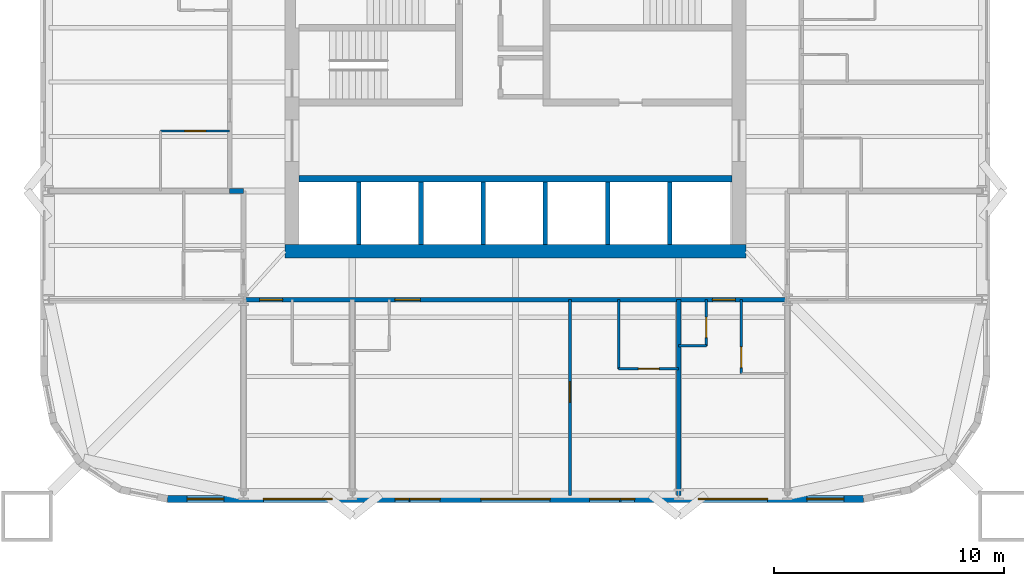
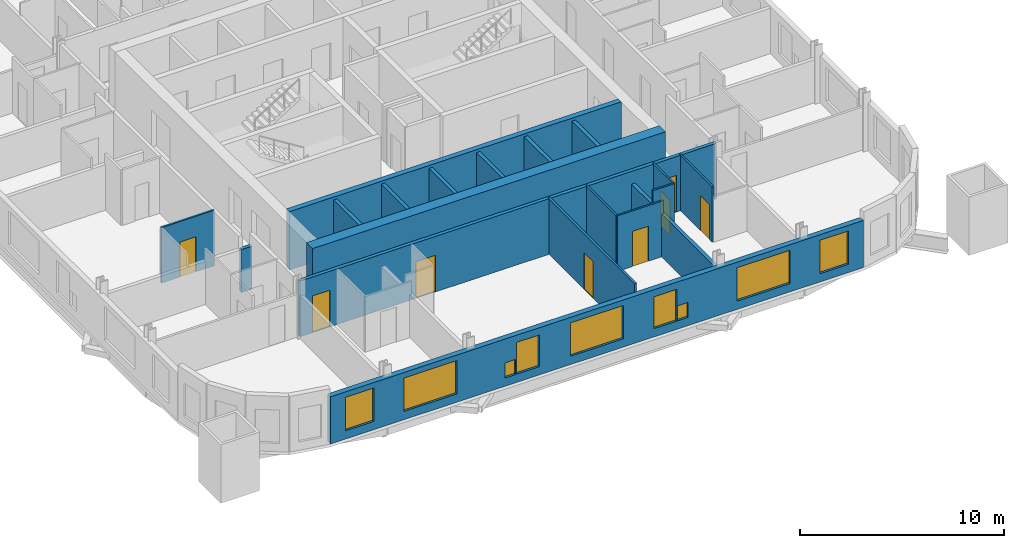
# One storey, part 3 of 9: 19 walls, 9 windows, 8 doors, 17 openings.
"""IFC4 building model written with IfcOpenShell, lengths in metres."""

from ifc_helpers import new_model, si_unit, direction, frame, frame_2d, origin, place, context, subcontext, project, spatial, rectangle, extrude, material, layer, layer_set, type_object, element, fill, save


model = new_model("IFC4")

# Units and contexts
model_context = context("Model", 3, precision=1e-05, world=origin(), true_north=direction((0.0, 1.0)))
body_context = subcontext(model_context, "Body", "Model", "MODEL_VIEW")
ifc_project = project(units=[si_unit("LENGTHUNIT", "METRE"), si_unit("AREAUNIT", "SQUARE_METRE"), si_unit("VOLUMEUNIT", "CUBIC_METRE"), si_unit("PLANEANGLEUNIT", "RADIAN"), si_unit("MASSUNIT", "GRAM", prefix="KILO")], contexts=[model_context])

# Site, building, storey
site_placement = place(None, origin())
site = spatial("IfcSite", under=ifc_project, at=site_placement, CompositionType="ELEMENT")
building_placement = place(site_placement, origin())
building = spatial("IfcBuilding", under=site, at=building_placement, Name="Turquesa Mirador Hotel Tower", CompositionType="ELEMENT")
storey_placement = place(building_placement, frame((0.0, 0.0, 114.39990234375)))
storey = spatial("IfcBuildingStorey", under=building, at=storey_placement, Name="L30", CompositionType="ELEMENT", Elevation=114.39990234375)

# Wall
ifc_material_1 = material(Name="Gypsum board on steel studs", Category="steel")
ifc_layer_1 = layer(ifc_material_1, 0.10009765625)
ifc_layer_set_1 = layer_set([ifc_layer_1], Name="BATHROOM WALL 100")
wall_type_1 = type_object("IfcWallType", Name="BATHROOM WALL 100", PredefinedType="PARTITIONING", material=ifc_layer_set_1)
wall_1_placement = place(storey_placement, frame((62.080078125, 31.199951171875, 0.0), z_axis=(0.0, 0.0, 1.0), x_axis=(1.0, 0.0, 0.0)))
element("IfcWall", 1, at=wall_1_placement, inside=storey, type_object=wall_type_1, Name="Partition L30 005", PredefinedType="PARTITIONING", context=body_context, shape_type="SweptSolid", body=[
    extrude(rectangle(XDim=1.199951171875, YDim=0.10009765625, at=frame_2d((0.60009765625, 0.0))), origin(), (0.0, 0.0, 1.0), 3.330078125),
])

# Wall, opening, door
wall_2_placement = place(storey_placement, frame((59.47998046875, 30.199951171875, 0.0), z_axis=(0.0, 0.0, 1.0), x_axis=(1.0, 0.0, 0.0)))
wall_2 = element("IfcWall", 2, at=wall_2_placement, inside=storey, type_object=wall_type_1, Name="Partition L30 008", PredefinedType="PARTITIONING", context=body_context, shape_type="SweptSolid", body=[
    extrude(rectangle(XDim=2.60009765625, YDim=0.10009765625, at=frame_2d((1.300048828125, 0.0))), origin(), (0.0, 0.0, 1.0), 3.330078125),
])
opening_1_placement = place(wall_2_placement, frame((0.85009765625, 0.0, 0.0)))
opening_1 = element("IfcOpeningElement", 3, at=opening_1_placement, cuts=wall_2, Name="Opening D02", PredefinedType="OPENING", context=body_context, shape_type="SweptSolid", body=[
    extrude(rectangle(XDim=0.89990234375, YDim=2.10009765625, at=frame_2d((0.449951171875, 1.050048828125))), frame((0.0, 0.06005859375, 0.0), z_axis=(0.0, -1.0, 0.0), x_axis=(1.0, 0.0, 0.0)), (0.0, 0.0, 1.0), 0.1201171875),
])
ifc_material_2 = material(Name="Timber veneered door", Category="wood")
door_type_1 = type_object("IfcDoorType", Name="DOOR 900X2100 EN-SUITE", OperationType="SINGLE_SWING_RIGHT", PredefinedType="DOOR", material=ifc_material_2)
door_1_placement = place(opening_1_placement, origin())
door_1 = element("IfcDoor", 4, at=door_1_placement, inside=storey, type_object=door_type_1, Name="Door 3006B", OperationType="SINGLE_SWING_RIGHT", OverallHeight=2.10009765625, OverallWidth=0.89990234375, PredefinedType="DOOR", context=body_context, shape_type="SweptSolid", body=[
    extrude(rectangle(XDim=0.89990234375, YDim=2.10009765625, at=frame_2d((0.449951171875, 1.050048828125))), frame((0.0, 0.02490234375, 0.0), z_axis=(0.0, -1.0, 0.0), x_axis=(1.0, 0.0, 0.0)), (0.0, 0.0, 1.0), 0.050048828125),
])
fill(opening_1, door_1)

wall_3_placement = place(storey_placement, frame((39.60009765625, 40.52001953125, 0.0), z_axis=(0.0, 0.0, 1.0), x_axis=(1.0, 0.0, 0.0)))
wall_3 = element("IfcWall", 5, at=wall_3_placement, inside=storey, type_object=wall_type_1, Name="Partition L30 011", PredefinedType="PARTITIONING", context=body_context, shape_type="SweptSolid", body=[
    extrude(rectangle(XDim=3.0, YDim=0.10009765625, at=frame_2d((1.5, 0.0))), origin(), (0.0, 0.0, 1.0), 3.330078125),
])
opening_2_placement = place(wall_3_placement, frame((1.050048828125, 0.0, 0.0)))
opening_2 = element("IfcOpeningElement", 6, at=opening_2_placement, cuts=wall_3, Name="Opening D02", PredefinedType="OPENING", context=body_context, shape_type="SweptSolid", body=[
    extrude(rectangle(XDim=0.89990234375, YDim=2.10009765625, at=frame_2d((0.449951171875, 1.050048828125))), frame((0.0, 0.06005859375, 0.0), z_axis=(0.0, -1.0, 0.0), x_axis=(1.0, 0.0, 0.0)), (0.0, 0.0, 1.0), 0.1201171875),
])
door_2_placement = place(opening_2_placement, origin())
door_2 = element("IfcDoor", 7, at=door_2_placement, inside=storey, type_object=door_type_1, Name="Door 3011B", OperationType="SINGLE_SWING_RIGHT", OverallHeight=2.10009765625, OverallWidth=0.89990234375, PredefinedType="DOOR", context=body_context, shape_type="SweptSolid", body=[
    extrude(rectangle(XDim=0.89990234375, YDim=2.10009765625, at=frame_2d((0.449951171875, 1.050048828125))), frame((0.0, 0.02490234375, 0.0), z_axis=(0.0, -1.0, 0.0), x_axis=(1.0, 0.0, 0.0)), (0.0, 0.0, 1.0), 0.050048828125),
])
fill(opening_2, door_2)

# Wall
wall_4_placement = place(storey_placement, frame((59.47998046875, 30.199951171875, 0.0), z_axis=(0.0, 0.0, 1.0), x_axis=(0.0, 1.0, 0.0)))
element("IfcWall", 8, at=wall_4_placement, inside=storey, type_object=wall_type_1, Name="Partition L30 080", PredefinedType="PARTITIONING", context=body_context, shape_type="SweptSolid", body=[
    extrude(rectangle(XDim=3.0, YDim=0.10009765625, at=frame_2d((1.5, 0.0))), origin(), (0.0, 0.0, 1.0), 3.330078125),
])

# Wall, opening, door
wall_5_placement = place(storey_placement, frame((63.280029296875, 31.199951171875, 0.0), z_axis=(0.0, 0.0, 1.0), x_axis=(0.0, 1.0, 0.0)))
wall_5 = element("IfcWall", 9, at=wall_5_placement, inside=storey, type_object=wall_type_1, Name="Partition L30 083", PredefinedType="PARTITIONING", context=body_context, shape_type="SweptSolid", body=[
    extrude(rectangle(XDim=2.0, YDim=0.10009765625, at=frame_2d((1.0, 0.0))), origin(), (0.0, 0.0, 1.0), 3.330078125),
])
opening_3_placement = place(wall_5_placement, frame((0.35009765625, 0.0, 0.0)))
opening_3 = element("IfcOpeningElement", 10, at=opening_3_placement, cuts=wall_5, Name="Opening D06", PredefinedType="OPENING", context=body_context, shape_type="SweptSolid", body=[
    extrude(rectangle(XDim=0.89990234375, YDim=2.10009765625, at=frame_2d((0.449951171875, 1.050048828125))), frame((0.0, 0.06005859375, 0.0), z_axis=(0.0, -1.0, 0.0), x_axis=(1.0, 0.0, 0.0)), (0.0, 0.0, 1.0), 0.1201171875),
])
ifc_material_3 = material(Name="Laminate door", Category="wood")
door_type_2 = type_object("IfcDoorType", Name="DOOR 900X2100 WC", OperationType="SINGLE_SWING_LEFT", PredefinedType="DOOR", material=ifc_material_3)
door_3_placement = place(opening_3_placement, origin())
door_3 = element("IfcDoor", 11, at=door_3_placement, inside=storey, type_object=door_type_2, Name="Door 3007W", OperationType="SINGLE_SWING_LEFT", OverallHeight=2.10009765625, OverallWidth=0.89990234375, PredefinedType="DOOR", context=body_context, shape_type="SweptSolid", body=[
    extrude(rectangle(XDim=0.89990234375, YDim=2.10009765625, at=frame_2d((0.449951171875, 1.050048828125))), frame((0.0, 0.02490234375, 0.0), z_axis=(0.0, -1.0, 0.0), x_axis=(1.0, 0.0, 0.0)), (0.0, 0.0, 1.0), 0.050048828125),
])
fill(opening_3, door_3)

wall_6_placement = place(storey_placement, frame((64.800048828125, 30.0, 0.0), z_axis=(0.0, 0.0, 1.0), x_axis=(0.0, 1.0, 0.0)))
wall_6 = element("IfcWall", 12, at=wall_6_placement, inside=storey, type_object=wall_type_1, Name="Partition L30 084", PredefinedType="PARTITIONING", context=body_context, shape_type="SweptSolid", body=[
    extrude(rectangle(XDim=3.199951171875, YDim=0.10009765625, at=frame_2d((1.60009765625, 0.0))), origin(), (0.0, 0.0, 1.0), 3.330078125),
])
opening_4_placement = place(wall_6_placement, frame((0.25, 0.0, 0.0)))
opening_4 = element("IfcOpeningElement", 13, at=opening_4_placement, cuts=wall_6, Name="Opening D02", PredefinedType="OPENING", context=body_context, shape_type="SweptSolid", body=[
    extrude(rectangle(XDim=0.89990234375, YDim=2.10009765625, at=frame_2d((0.449951171875, 1.050048828125))), frame((0.0, 0.06005859375, 0.0), z_axis=(0.0, -1.0, 0.0), x_axis=(1.0, 0.0, 0.0)), (0.0, 0.0, 1.0), 0.1201171875),
])
door_4_placement = place(opening_4_placement, origin())
door_4 = element("IfcDoor", 14, at=door_4_placement, inside=storey, type_object=door_type_1, Name="Door 3007B", OperationType="SINGLE_SWING_RIGHT", OverallHeight=2.10009765625, OverallWidth=0.89990234375, PredefinedType="DOOR", context=body_context, shape_type="SweptSolid", body=[
    extrude(rectangle(XDim=0.89990234375, YDim=2.10009765625, at=frame_2d((0.449951171875, 1.050048828125))), frame((0.0, 0.02490234375, 0.0), z_axis=(0.0, -1.0, 0.0), x_axis=(1.0, 0.0, 0.0)), (0.0, 0.0, 1.0), 0.050048828125),
])
fill(opening_4, door_4)

# Walls
ifc_material_4 = material(Name="Concrete C50/60", Category="concrete")
ifc_layer_2 = layer(ifc_material_4, 0.300048828125)
ifc_layer_set_2 = layer_set([ifc_layer_2], Name="CORE INNER WALL 300")
wall_type_2 = type_object("IfcWallType", Name="CORE INNER WALL 300", PredefinedType="SHEAR", material=ifc_layer_set_2)
wall_7_placement = place(storey_placement, frame((45.60009765625, 38.449951171875, 0.0), z_axis=(0.0, 0.0, 1.0), x_axis=(1.0, 0.0, 0.0)))
element("IfcWall", 15, at=wall_7_placement, inside=storey, type_object=wall_type_2, Name="Core wall SL", PredefinedType="SHEAR", context=body_context, shape_type="SweptSolid", body=[
    extrude(rectangle(XDim=18.7998046875, YDim=0.300048828125, at=frame_2d((9.39990234375, 0.0))), origin(), (0.0, 0.0, 1.0), 3.5),
])
ifc_material_5 = material(Name="Concrete C50/60", Category="concrete")
ifc_layer_3 = layer(ifc_material_5, 0.60009765625)
ifc_layer_set_3 = layer_set([ifc_layer_3], Name="CORE WALL 600")
wall_type_3 = type_object("IfcWallType", Name="CORE WALL 600", PredefinedType="SHEAR", material=ifc_layer_set_3)
wall_8_placement = place(storey_placement, frame((45.0, 35.300048828125, 0.0), z_axis=(0.0, 0.0, 1.0), x_axis=(1.0, 0.0, 0.0)))
element("IfcWall", 16, at=wall_8_placement, inside=storey, type_object=wall_type_3, Name="Core wall S", PredefinedType="SHEAR", context=body_context, shape_type="SweptSolid", body=[
    extrude(rectangle(XDim=20.0, YDim=0.60009765625, at=frame_2d((10.0, 0.0))), origin(), (0.0, 0.0, 1.0), 3.5),
])

# Wall, openings, doors
ifc_material_6 = material(Name="Fire-rated gypsum board on steel studs", Category="steel")
ifc_layer_4 = layer(ifc_material_6, 0.199951171875)
ifc_layer_set_4 = layer_set([ifc_layer_4], Name="CORRIDOR WALL 200")
wall_type_4 = type_object("IfcWallType", Name="CORRIDOR WALL 200", PredefinedType="PARTITIONING", material=ifc_layer_set_4)
wall_9_placement = place(storey_placement, frame((43.199951171875, 33.199951171875, 0.0), z_axis=(0.0, 0.0, 1.0), x_axis=(1.0, 0.0, 0.0)))
wall_9 = element("IfcWall", 17, at=wall_9_placement, inside=storey, type_object=wall_type_4, Name="Partition L30 002", PredefinedType="PARTITIONING", context=body_context, shape_type="SweptSolid", body=[
    extrude(rectangle(XDim=23.60009765625, YDim=0.199951171875, at=frame_2d((11.800048828125, 0.0))), origin(), (0.0, 0.0, 1.0), 3.330078125),
])
opening_5_placement = place(wall_9_placement, frame((0.699951171875, 0.0, 0.0)))
opening_5 = element("IfcOpeningElement", 18, at=opening_5_placement, cuts=wall_9, Name="Opening D01", PredefinedType="OPENING", context=body_context, shape_type="SweptSolid", body=[
    extrude(rectangle(XDim=1.0, YDim=2.199951171875, at=frame_2d((0.5, 1.10009765625))), frame((0.0, 0.10986328125, 0.0), z_axis=(0.0, -1.0, 0.0), x_axis=(1.0, 0.0, 0.0)), (0.0, 0.0, 1.0), 0.219970703125),
])
opening_6_placement = place(wall_9_placement, frame((6.570068359375, 0.0, 0.0)))
opening_6 = element("IfcOpeningElement", 19, at=opening_6_placement, cuts=wall_9, Name="Opening D15", PredefinedType="OPENING", context=body_context, shape_type="SweptSolid", body=[
    extrude(rectangle(XDim=1.10009765625, YDim=2.199951171875, at=frame_2d((0.550048828125, 1.10009765625))), frame((0.0, 0.10986328125, 0.0), z_axis=(0.0, -1.0, 0.0), x_axis=(1.0, 0.0, 0.0)), (0.0, 0.0, 1.0), 0.219970703125),
])
opening_7_placement = place(wall_9_placement, frame((20.340087890625, 0.0, 0.0)))
opening_7 = element("IfcOpeningElement", 20, at=opening_7_placement, cuts=wall_9, Name="Opening D01", PredefinedType="OPENING", context=body_context, shape_type="SweptSolid", body=[
    extrude(rectangle(XDim=1.0, YDim=2.199951171875, at=frame_2d((0.5, 1.10009765625))), frame((0.0, 0.10986328125, 0.0), z_axis=(0.0, -1.0, 0.0), x_axis=(1.0, 0.0, 0.0)), (0.0, 0.0, 1.0), 0.219970703125),
])
ifc_material_7 = material(Name="Timber veneered fire door", Category="wood")
door_type_3 = type_object("IfcDoorType", Name="DOOR 1000X2200 GUEST ENTRY", OperationType="SINGLE_SWING_LEFT", PredefinedType="DOOR", material=ifc_material_7)
door_5_placement = place(opening_5_placement, origin())
door_5 = element("IfcDoor", 21, at=door_5_placement, inside=storey, type_object=door_type_3, Name="Door 3005", OperationType="SINGLE_SWING_LEFT", OverallHeight=2.199951171875, OverallWidth=1.0, PredefinedType="DOOR", context=body_context, shape_type="SweptSolid", body=[
    extrude(rectangle(XDim=1.0, YDim=2.199951171875, at=frame_2d((0.5, 1.10009765625))), frame((0.0, 0.02490234375, 0.0), z_axis=(0.0, -1.0, 0.0), x_axis=(1.0, 0.0, 0.0)), (0.0, 0.0, 1.0), 0.050048828125),
])
fill(opening_5, door_5)
door_6_placement = place(opening_7_placement, origin())
door_6 = element("IfcDoor", 22, at=door_6_placement, inside=storey, type_object=door_type_3, Name="Door 3007", OperationType="SINGLE_SWING_LEFT", OverallHeight=2.199951171875, OverallWidth=1.0, PredefinedType="DOOR", context=body_context, shape_type="SweptSolid", body=[
    extrude(rectangle(XDim=1.0, YDim=2.199951171875, at=frame_2d((0.5, 1.10009765625))), frame((0.0, 0.02490234375, 0.0), z_axis=(0.0, -1.0, 0.0), x_axis=(1.0, 0.0, 0.0)), (0.0, 0.0, 1.0), 0.050048828125),
])
fill(opening_7, door_6)
ifc_material_8 = material(Name="Timber veneered fire door", Category="wood")
door_type_4 = type_object("IfcDoorType", Name="DOOR 1100X2200 SUITE ENTRY", OperationType="SINGLE_SWING_LEFT", PredefinedType="DOOR", material=ifc_material_8)
door_7_placement = place(opening_6_placement, origin())
door_7 = element("IfcDoor", 23, at=door_7_placement, inside=storey, type_object=door_type_4, Name="Door 3006", OperationType="SINGLE_SWING_LEFT", OverallHeight=2.199951171875, OverallWidth=1.10009765625, PredefinedType="DOOR", context=body_context, shape_type="SweptSolid", body=[
    extrude(rectangle(XDim=1.10009765625, YDim=2.199951171875, at=frame_2d((0.550048828125, 1.10009765625))), frame((0.0, 0.02490234375, 0.0), z_axis=(0.0, -1.0, 0.0), x_axis=(1.0, 0.0, 0.0)), (0.0, 0.0, 1.0), 0.050048828125),
])
fill(opening_6, door_7)

# Wall
wall_10_placement = place(storey_placement, frame((42.60009765625, 37.919921875, 0.0), z_axis=(0.0, 0.0, 1.0), x_axis=(1.0, 0.0, 0.0)))
element("IfcWall", 24, at=wall_10_placement, inside=storey, type_object=wall_type_4, Name="Partition L30 013", PredefinedType="PARTITIONING", context=body_context, shape_type="SweptSolid", body=[
    extrude(rectangle(XDim=0.599853515625, YDim=0.199951171875, at=frame_2d((0.2998046875, 0.0))), origin(), (0.0, 0.0, 1.0), 2.5732421875),
])

# Wall, openings, windows
ifc_material_9 = material(Name="Limestone cladding on concrete block", Category="masonry")
ifc_layer_5 = layer(ifc_material_9, 0.300048828125)
ifc_layer_set_5 = layer_set([ifc_layer_5], Name="FACADE WALL 300 STONE SCREEN")
wall_type_5 = type_object("IfcWallType", Name="FACADE WALL 300 STONE SCREEN", PredefinedType="SOLIDWALL", material=ifc_layer_set_5)
wall_11_placement = place(storey_placement, frame((39.89990234375, 24.550048828125, 0.0), z_axis=(0.0, 0.0, 1.0), x_axis=(1.0, 0.0, 0.0)))
wall_11 = element("IfcWall", 25, at=wall_11_placement, inside=storey, type_object=wall_type_5, Name="Facade wall L30 19", PredefinedType="SOLIDWALL", context=body_context, shape_type="SweptSolid", body=[
    extrude(rectangle(XDim=30.2001953125, YDim=0.300048828125, at=frame_2d((15.10009765625, 0.0))), origin(), (0.0, 0.0, 1.0), 2.830078125),
])
opening_8_placement = place(wall_11_placement, frame((0.85009765625, 0.0, 0.5)))
opening_8 = element("IfcOpeningElement", 26, at=opening_8_placement, cuts=wall_11, Name="Opening WN3", PredefinedType="OPENING", context=body_context, shape_type="SweptSolid", body=[
    extrude(rectangle(XDim=1.60009765625, YDim=2.0, at=frame_2d((0.800048828125, 1.0))), frame((0.0, 0.159912109375, 0.0), z_axis=(0.0, -1.0, 0.0), x_axis=(1.0, 0.0, 0.0)), (0.0, 0.0, 1.0), 0.320068359375),
])
opening_9_placement = place(wall_11_placement, frame((4.159912109375, 0.0, 0.5)))
opening_9 = element("IfcOpeningElement", 27, at=opening_9_placement, cuts=wall_11, Name="Opening WN1", PredefinedType="OPENING", context=body_context, shape_type="SweptSolid", body=[
    extrude(rectangle(XDim=3.0, YDim=2.0, at=frame_2d((1.5, 1.0))), frame((0.0, 0.159912109375, 0.0), z_axis=(0.0, -1.0, 0.0), x_axis=(1.0, 0.0, 0.0)), (0.0, 0.0, 1.0), 0.320068359375),
])
opening_10_placement = place(wall_11_placement, frame((10.530029296875, 0.0, 0.5)))
opening_10 = element("IfcOpeningElement", 28, at=opening_10_placement, cuts=wall_11, Name="Opening WN27", PredefinedType="OPENING", context=body_context, shape_type="SweptSolid", body=[
    extrude(rectangle(XDim=1.300048828125, YDim=1.89990234375, at=frame_2d((0.64990234375, 0.949951171875))), frame((0.0, 0.159912109375, 0.0), z_axis=(0.0, -1.0, 0.0), x_axis=(1.0, 0.0, 0.0)), (0.0, 0.0, 1.0), 0.320068359375),
])
opening_11_placement = place(wall_11_placement, frame((13.60009765625, 0.0, 0.5)))
opening_11 = element("IfcOpeningElement", 29, at=opening_11_placement, cuts=wall_11, Name="Opening WN1", PredefinedType="OPENING", context=body_context, shape_type="SweptSolid", body=[
    extrude(rectangle(XDim=3.0, YDim=2.0, at=frame_2d((1.5, 1.0))), frame((0.0, 0.159912109375, 0.0), z_axis=(0.0, -1.0, 0.0), x_axis=(1.0, 0.0, 0.0)), (0.0, 0.0, 1.0), 0.320068359375),
])
opening_12_placement = place(wall_11_placement, frame((18.320068359375, 0.0, 0.5)))
opening_12 = element("IfcOpeningElement", 30, at=opening_12_placement, cuts=wall_11, Name="Opening WN27", PredefinedType="OPENING", context=body_context, shape_type="SweptSolid", body=[
    extrude(rectangle(XDim=1.300048828125, YDim=1.89990234375, at=frame_2d((0.64990234375, 0.949951171875))), frame((0.0, 0.159912109375, 0.0), z_axis=(0.0, -1.0, 0.0), x_axis=(1.0, 0.0, 0.0)), (0.0, 0.0, 1.0), 0.320068359375),
])
opening_13_placement = place(wall_11_placement, frame((23.0400390625, 0.0, 0.5)))
opening_13 = element("IfcOpeningElement", 31, at=opening_13_placement, cuts=wall_11, Name="Opening WN1", PredefinedType="OPENING", context=body_context, shape_type="SweptSolid", body=[
    extrude(rectangle(XDim=3.0, YDim=2.0, at=frame_2d((1.5, 1.0))), frame((0.0, 0.159912109375, 0.0), z_axis=(0.0, -1.0, 0.0), x_axis=(1.0, 0.0, 0.0)), (0.0, 0.0, 1.0), 0.320068359375),
])
opening_14_placement = place(wall_11_placement, frame((27.75, 0.0, 0.5)))
opening_14 = element("IfcOpeningElement", 32, at=opening_14_placement, cuts=wall_11, Name="Opening WN3", PredefinedType="OPENING", context=body_context, shape_type="SweptSolid", body=[
    extrude(rectangle(XDim=1.60009765625, YDim=2.0, at=frame_2d((0.800048828125, 1.0))), frame((0.0, 0.159912109375, 0.0), z_axis=(0.0, -1.0, 0.0), x_axis=(1.0, 0.0, 0.0)), (0.0, 0.0, 1.0), 0.320068359375),
])
opening_15_placement = place(wall_11_placement, frame((9.8798828125, 0.0, 0.5)))
opening_15 = element("IfcOpeningElement", 33, at=opening_15_placement, cuts=wall_11, Name="Opening WN25", PredefinedType="OPENING", context=body_context, shape_type="SweptSolid", body=[
    extrude(rectangle(XDim=0.60009765625, YDim=0.89990234375, at=frame_2d((0.300048828125, 0.449951171875))), frame((0.0, 0.159912109375, 0.0), z_axis=(0.0, -1.0, 0.0), x_axis=(1.0, 0.0, 0.0)), (0.0, 0.0, 1.0), 0.320068359375),
])
opening_16_placement = place(wall_11_placement, frame((19.669921875, 0.0, 0.5)))
opening_16 = element("IfcOpeningElement", 34, at=opening_16_placement, cuts=wall_11, Name="Opening WN25", PredefinedType="OPENING", context=body_context, shape_type="SweptSolid", body=[
    extrude(rectangle(XDim=0.60009765625, YDim=0.89990234375, at=frame_2d((0.300048828125, 0.449951171875))), frame((0.0, 0.159912109375, 0.0), z_axis=(0.0, -1.0, 0.0), x_axis=(1.0, 0.0, 0.0)), (0.0, 0.0, 1.0), 0.320068359375),
])
ifc_material_10 = material(Name="Ceramic-fritted laminated glass", Category="glass")
window_type_1 = type_object("IfcWindowType", Name="FRITTED WINDOW 1300X1900", PartitioningType="DOUBLE_PANEL_HORIZONTAL", PredefinedType="WINDOW", material=ifc_material_10)
window_1_placement = place(opening_10_placement, origin())
window_1 = element("IfcWindow", 35, at=window_1_placement, inside=storey, type_object=window_type_1, Name="Window L30", OverallHeight=1.89990234375, OverallWidth=1.300048828125, PartitioningType="SINGLE_PANEL", PredefinedType="WINDOW", context=body_context, shape_type="SweptSolid", body=[
    extrude(rectangle(XDim=1.300048828125, YDim=1.89990234375, at=frame_2d((0.64990234375, 0.949951171875))), frame((0.0, 0.030029296875, 0.0), z_axis=(0.0, -1.0, 0.0), x_axis=(1.0, 0.0, 0.0)), (0.0, 0.0, 1.0), 0.06005859375),
])
fill(opening_10, window_1)
window_2_placement = place(opening_12_placement, origin())
window_2 = element("IfcWindow", 36, at=window_2_placement, inside=storey, type_object=window_type_1, Name="Window L30", OverallHeight=1.89990234375, OverallWidth=1.300048828125, PartitioningType="SINGLE_PANEL", PredefinedType="WINDOW", context=body_context, shape_type="SweptSolid", body=[
    extrude(rectangle(XDim=1.300048828125, YDim=1.89990234375, at=frame_2d((0.64990234375, 0.949951171875))), frame((0.0, 0.030029296875, 0.0), z_axis=(0.0, -1.0, 0.0), x_axis=(1.0, 0.0, 0.0)), (0.0, 0.0, 1.0), 0.06005859375),
])
fill(opening_12, window_2)
ifc_material_11 = material(Name="Ceramic-fritted laminated glass", Category="glass")
window_type_2 = type_object("IfcWindowType", Name="FRITTED WINDOW 1600X2000", PartitioningType="DOUBLE_PANEL_HORIZONTAL", PredefinedType="WINDOW", material=ifc_material_11)
window_3_placement = place(opening_8_placement, origin())
window_3 = element("IfcWindow", 37, at=window_3_placement, inside=storey, type_object=window_type_2, Name="Window L30", OverallHeight=2.0, OverallWidth=1.60009765625, PartitioningType="SINGLE_PANEL", PredefinedType="WINDOW", context=body_context, shape_type="SweptSolid", body=[
    extrude(rectangle(XDim=1.60009765625, YDim=2.0, at=frame_2d((0.800048828125, 1.0))), frame((0.0, 0.030029296875, 0.0), z_axis=(0.0, -1.0, 0.0), x_axis=(1.0, 0.0, 0.0)), (0.0, 0.0, 1.0), 0.06005859375),
])
fill(opening_8, window_3)
window_4_placement = place(opening_14_placement, origin())
window_4 = element("IfcWindow", 38, at=window_4_placement, inside=storey, type_object=window_type_2, Name="Window L30", OverallHeight=2.0, OverallWidth=1.60009765625, PartitioningType="SINGLE_PANEL", PredefinedType="WINDOW", context=body_context, shape_type="SweptSolid", body=[
    extrude(rectangle(XDim=1.60009765625, YDim=2.0, at=frame_2d((0.800048828125, 1.0))), frame((0.0, 0.030029296875, 0.0), z_axis=(0.0, -1.0, 0.0), x_axis=(1.0, 0.0, 0.0)), (0.0, 0.0, 1.0), 0.06005859375),
])
fill(opening_14, window_4)
ifc_material_12 = material(Name="Ceramic-fritted laminated glass", Category="glass")
window_type_3 = type_object("IfcWindowType", Name="FRITTED WINDOW 3000X2000", PartitioningType="DOUBLE_PANEL_HORIZONTAL", PredefinedType="WINDOW", material=ifc_material_12)
window_5_placement = place(opening_9_placement, origin())
window_5 = element("IfcWindow", 39, at=window_5_placement, inside=storey, type_object=window_type_3, Name="Window L30", OverallHeight=2.0, OverallWidth=3.0, PartitioningType="SINGLE_PANEL", PredefinedType="WINDOW", context=body_context, shape_type="SweptSolid", body=[
    extrude(rectangle(XDim=3.0, YDim=2.0, at=frame_2d((1.5, 1.0))), frame((0.0, 0.030029296875, 0.0), z_axis=(0.0, -1.0, 0.0), x_axis=(1.0, 0.0, 0.0)), (0.0, 0.0, 1.0), 0.06005859375),
])
fill(opening_9, window_5)
window_6_placement = place(opening_11_placement, origin())
window_6 = element("IfcWindow", 40, at=window_6_placement, inside=storey, type_object=window_type_3, Name="Window L30", OverallHeight=2.0, OverallWidth=3.0, PartitioningType="SINGLE_PANEL", PredefinedType="WINDOW", context=body_context, shape_type="SweptSolid", body=[
    extrude(rectangle(XDim=3.0, YDim=2.0, at=frame_2d((1.5, 1.0))), frame((0.0, 0.030029296875, 0.0), z_axis=(0.0, -1.0, 0.0), x_axis=(1.0, 0.0, 0.0)), (0.0, 0.0, 1.0), 0.06005859375),
])
fill(opening_11, window_6)
window_7_placement = place(opening_13_placement, origin())
window_7 = element("IfcWindow", 41, at=window_7_placement, inside=storey, type_object=window_type_3, Name="Window L30", OverallHeight=2.0, OverallWidth=3.0, PartitioningType="SINGLE_PANEL", PredefinedType="WINDOW", context=body_context, shape_type="SweptSolid", body=[
    extrude(rectangle(XDim=3.0, YDim=2.0, at=frame_2d((1.5, 1.0))), frame((0.0, 0.030029296875, 0.0), z_axis=(0.0, -1.0, 0.0), x_axis=(1.0, 0.0, 0.0)), (0.0, 0.0, 1.0), 0.06005859375),
])
fill(opening_13, window_7)
ifc_material_13 = material(Name="Ceramic-fritted laminated glass", Category="glass")
window_type_4 = type_object("IfcWindowType", Name="FRITTED WINDOW 600X900", PartitioningType="DOUBLE_PANEL_HORIZONTAL", PredefinedType="WINDOW", material=ifc_material_13)
window_8_placement = place(opening_15_placement, origin())
window_8 = element("IfcWindow", 42, at=window_8_placement, inside=storey, type_object=window_type_4, Name="Window L30", OverallHeight=0.89990234375, OverallWidth=0.60009765625, PartitioningType="SINGLE_PANEL", PredefinedType="WINDOW", context=body_context, shape_type="SweptSolid", body=[
    extrude(rectangle(XDim=0.60009765625, YDim=0.89990234375, at=frame_2d((0.300048828125, 0.449951171875))), frame((0.0, 0.030029296875, 0.0), z_axis=(0.0, -1.0, 0.0), x_axis=(1.0, 0.0, 0.0)), (0.0, 0.0, 1.0), 0.06005859375),
])
fill(opening_15, window_8)
window_9_placement = place(opening_16_placement, origin())
window_9 = element("IfcWindow", 43, at=window_9_placement, inside=storey, type_object=window_type_4, Name="Window L30", OverallHeight=0.89990234375, OverallWidth=0.60009765625, PartitioningType="SINGLE_PANEL", PredefinedType="WINDOW", context=body_context, shape_type="SweptSolid", body=[
    extrude(rectangle(XDim=0.60009765625, YDim=0.89990234375, at=frame_2d((0.300048828125, 0.449951171875))), frame((0.0, 0.030029296875, 0.0), z_axis=(0.0, -1.0, 0.0), x_axis=(1.0, 0.0, 0.0)), (0.0, 0.0, 1.0), 0.06005859375),
])
fill(opening_16, window_9)

# Walls
ifc_material_14 = material(Name="Fire-rated gypsum shaft wall on steel studs", Category="steel")
ifc_layer_6 = layer(ifc_material_14, 0.199951171875)
ifc_layer_set_6 = layer_set([ifc_layer_6], Name="LIFT SHAFT DIVIDER 200")
wall_type_6 = type_object("IfcWallType", Name="LIFT SHAFT DIVIDER 200", PredefinedType="PARTITIONING", material=ifc_layer_set_6)
for number, where, z_axis, x_axis, name in (
    (44, (48.199951171875, 35.60009765625, 0.0), (0.0, 0.0, 1.0), (0.0, 1.0, 0.0), "Lift shaft divider"),
    (45, (50.89990234375, 35.60009765625, 0.0), (0.0, 0.0, 1.0), (0.0, 1.0, 0.0), "Lift shaft divider"),
    (46, (53.60009765625, 35.60009765625, 0.0), (0.0, 0.0, 1.0), (0.0, 1.0, 0.0), "Lift shaft divider"),
    (47, (56.300048828125, 35.60009765625, 0.0), (0.0, 0.0, 1.0), (0.0, 1.0, 0.0), "Lift shaft divider"),
    (48, (59.0, 35.60009765625, 0.0), (0.0, 0.0, 1.0), (0.0, 1.0, 0.0), "Lift shaft divider"),
    (49, (61.699951171875, 35.60009765625, 0.0), (0.0, 0.0, 1.0), (0.0, 1.0, 0.0), "Lift shaft divider"),
):
    element("IfcWall", number, at=place(storey_placement, frame(where, z_axis=z_axis, x_axis=x_axis)), inside=storey, type_object=wall_type_6, Name=name, PredefinedType="PARTITIONING", context=body_context, shape_type="SweptSolid", body=[
        extrude(rectangle(XDim=2.699951171875, YDim=0.199951171875, at=frame_2d((1.35009765625, 0.0))), origin(), (0.0, 0.0, 1.0), 3.330078125),
    ])
ifc_material_15 = material(Name="Fire-rated gypsum board on steel studs", Category="steel")
ifc_layer_7 = layer(ifc_material_15, 0.199951171875)
ifc_layer_set_7 = layer_set([ifc_layer_7], Name="PARTY WALL 200")
wall_type_7 = type_object("IfcWallType", Name="PARTY WALL 200", PredefinedType="PARTITIONING", material=ifc_layer_set_7)
wall_12_placement = place(storey_placement, frame((62.080078125, 24.699951171875, 0.0), z_axis=(0.0, 0.0, 1.0), x_axis=(0.0, 1.0, 0.0)))
element("IfcWall", 50, at=wall_12_placement, inside=storey, type_object=wall_type_7, Name="Partition L30 082", PredefinedType="PARTITIONING", context=body_context, shape_type="SweptSolid", body=[
    extrude(rectangle(XDim=8.5, YDim=0.199951171875, at=frame_2d((4.25, 0.0))), origin(), (0.0, 0.0, 1.0), 2.5732421875),
])

# Wall, opening, door
ifc_material_16 = material(Name="Acoustic gypsum board on steel studs", Category="steel")
ifc_layer_8 = layer(ifc_material_16, 0.125)
ifc_layer_set_8 = layer_set([ifc_layer_8], Name="SUITE PARTITION 125")
wall_type_8 = type_object("IfcWallType", Name="SUITE PARTITION 125", PredefinedType="PARTITIONING", material=ifc_layer_set_8)
wall_13_placement = place(storey_placement, frame((57.360107421875, 24.699951171875, 0.0), z_axis=(0.0, 0.0, 1.0), x_axis=(0.0, 1.0, 0.0)))
wall_13 = element("IfcWall", 51, at=wall_13_placement, inside=storey, type_object=wall_type_8, Name="Partition L30 079", PredefinedType="PARTITIONING", context=body_context, shape_type="SweptSolid", body=[
    extrude(rectangle(XDim=8.5, YDim=0.125, at=frame_2d((4.25, 0.0))), origin(), (0.0, 0.0, 1.0), 3.330078125),
])
opening_17_placement = place(wall_13_placement, frame((4.050048828125, 0.0, 0.0)))
opening_17 = element("IfcOpeningElement", 52, at=opening_17_placement, cuts=wall_13, Name="Opening D17", PredefinedType="OPENING", context=body_context, shape_type="SweptSolid", body=[
    extrude(rectangle(XDim=0.89990234375, YDim=2.199951171875, at=frame_2d((0.449951171875, 1.10009765625))), frame((0.0, 0.072509765625, 0.0), z_axis=(0.0, -1.0, 0.0), x_axis=(1.0, 0.0, 0.0)), (0.0, 0.0, 1.0), 0.14501953125),
])
ifc_material_17 = material(Name="Timber veneered door", Category="wood")
door_type_5 = type_object("IfcDoorType", Name="DOOR 900X2200 SUITE INTERNAL", OperationType="SINGLE_SWING_LEFT", PredefinedType="DOOR", material=ifc_material_17)
door_8_placement = place(opening_17_placement, origin())
door_8 = element("IfcDoor", 53, at=door_8_placement, inside=storey, type_object=door_type_5, Name="Door 3006R", OperationType="SINGLE_SWING_LEFT", OverallHeight=2.199951171875, OverallWidth=0.89990234375, PredefinedType="DOOR", context=body_context, shape_type="SweptSolid", body=[
    extrude(rectangle(XDim=0.89990234375, YDim=2.199951171875, at=frame_2d((0.449951171875, 1.10009765625))), frame((0.0, 0.02490234375, 0.0), z_axis=(0.0, -1.0, 0.0), x_axis=(1.0, 0.0, 0.0)), (0.0, 0.0, 1.0), 0.050048828125),
])
fill(opening_17, door_8)

save(model, "model.ifc")
